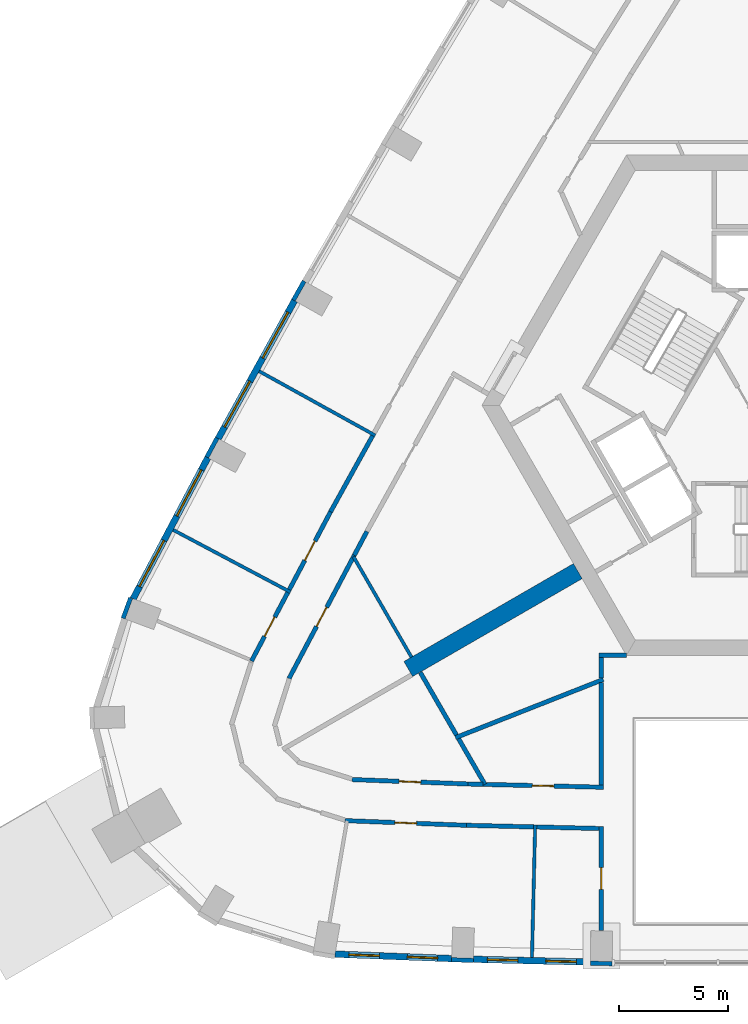
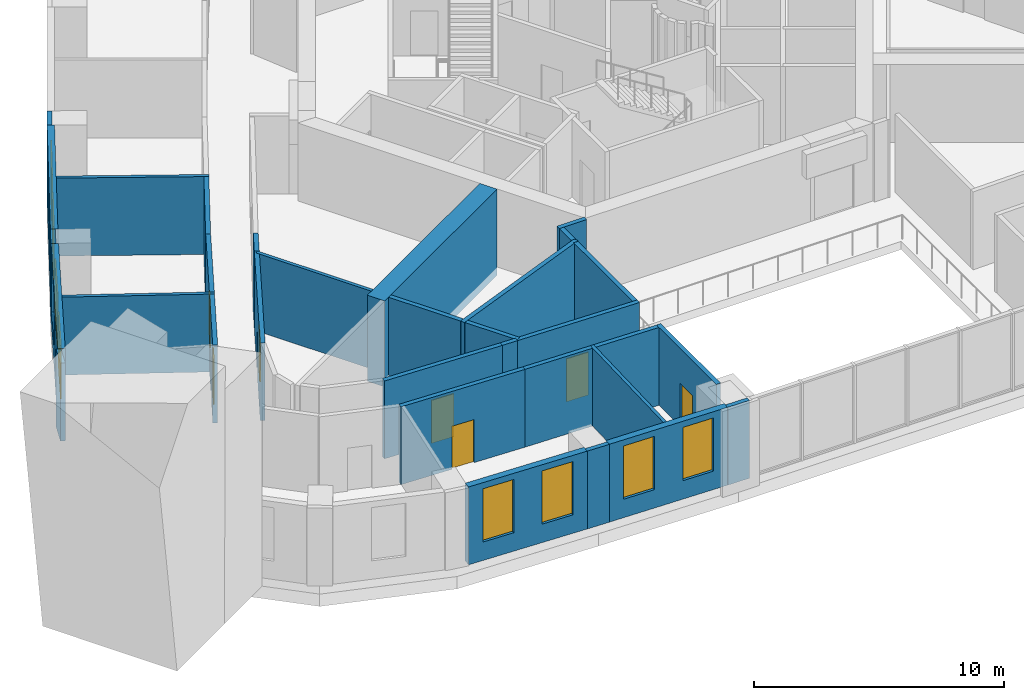
# One storey, part 4 of 13: 32 walls, 8 windows, 7 doors, 15 openings.
"""IFC4 building model written with IfcOpenShell, lengths in metres."""

from ifc_helpers import new_model, si_unit, direction, frame, frame_2d, origin, place, context, subcontext, project, spatial, rectangle, extrude, material, layer, layer_set, type_object, element, fill, save


model = new_model("IFC4")

# Units and contexts
model_context = context("Model", 3, precision=1e-05, world=origin(), true_north=direction((0.0, 1.0)))
body_context = subcontext(model_context, "Body", "Model", "MODEL_VIEW")
ifc_project = project(units=[si_unit("LENGTHUNIT", "METRE"), si_unit("AREAUNIT", "SQUARE_METRE"), si_unit("VOLUMEUNIT", "CUBIC_METRE"), si_unit("PLANEANGLEUNIT", "RADIAN"), si_unit("MASSUNIT", "GRAM", prefix="KILO")], contexts=[model_context])

# Site, building, storey
site_placement = place(None, origin())
site = spatial("IfcSite", under=ifc_project, at=site_placement, CompositionType="ELEMENT")
building_placement = place(site_placement, origin())
building = spatial("IfcBuilding", under=site, at=building_placement, Name="Entoto Arch Interchange Tower", CompositionType="ELEMENT")
storey_placement = place(building_placement, frame((0.0, 0.0, 215.0)))
storey = spatial("IfcBuildingStorey", under=building, at=storey_placement, Name="L48", CompositionType="ELEMENT", Elevation=215.0)

# Walls
ifc_material_1 = material(Name="Concrete C50/60", Category="concrete")
ifc_layer_1 = layer(ifc_material_1, 0.800048828125)
ifc_layer_set_1 = layer_set([ifc_layer_1], Name="Concrete C50/60")
wall_type_1 = type_object("IfcWallType", Name="Buttress wall 800 C50/60", PredefinedType="SHEAR", material=ifc_layer_set_1)
wall_1_placement = place(storey_placement, frame((-8.876953125, -5.125, -0.39990234375), z_axis=(0.0, 0.0, 1.0), x_axis=(-0.866017533419, -0.500013631625, 0.0)))
element("IfcWall", 1, at=wall_1_placement, inside=storey, type_object=wall_type_1, Name="Buttress wall SW L48", PredefinedType="SHEAR", context=body_context, shape_type="SweptSolid", body=[
    extrude(rectangle(XDim=8.999755859375, YDim=0.800048828125, at=frame_2d((4.5, 0.0))), origin(), (0.0, 0.0, 1.0), 4.199951171875),
])
ifc_material_2 = material(Name="Gypsum board partition on steel studs", Category="steel")
ifc_layer_2 = layer(ifc_material_2, 0.14990234375)
ifc_layer_set_2 = layer_set([ifc_layer_2], Name="Gypsum board partition on steel studs")
wall_type_2 = type_object("IfcWallType", Name="PARTITION 150", PredefinedType="PARTITIONING", material=ifc_layer_set_2)
wall_2_placement = place(storey_placement, frame((-16.52490234375, -9.0791015625, 0.0), z_axis=(0.0, 0.0, 1.0), x_axis=(-0.499943228252, 0.866058178487, 0.0)))
element("IfcWall", 2, at=wall_2_placement, inside=storey, type_object=wall_type_2, Name="wall:L48:p113", PredefinedType="PARTITIONING", context=body_context, shape_type="SweptSolid", body=[
    extrude(rectangle(XDim=5.32861328125, YDim=0.14990234375, at=frame_2d((2.664306640625, 0.0))), origin(), (0.0, 0.0, 1.0), 3.800048828125),
])
wall_3_placement = place(storey_placement, frame((-18.18896484375, 1.111083984375, 0.0), z_axis=(0.0, 0.0, 1.0), x_axis=(-0.874928335558, 0.484252421405, 0.0)))
element("IfcWall", 3, at=wall_3_placement, inside=storey, type_object=wall_type_2, Name="wall:L48:p126", PredefinedType="PARTITIONING", context=body_context, shape_type="SweptSolid", body=[
    extrude(rectangle(XDim=6.099853515625, YDim=0.14990234375, at=frame_2d((3.0498046875, 0.0))), origin(), (0.0, 0.0, 1.0), 3.800048828125),
])
wall_4_placement = place(storey_placement, frame((-22.0869140625, -6.089111328125, 0.0), z_axis=(0.0, 0.0, 1.0), x_axis=(-0.883611647524, 0.468220521079, 0.0)))
element("IfcWall", 4, at=wall_4_placement, inside=storey, type_object=wall_type_2, Name="wall:L48:p127", PredefinedType="PARTITIONING", context=body_context, shape_type="SweptSolid", body=[
    extrude(rectangle(XDim=6.10009765625, YDim=0.14990234375, at=frame_2d((3.050048828125, 0.0))), origin(), (0.0, 0.0, 1.0), 3.800048828125),
])
wall_5_placement = place(storey_placement, frame((-10.837890625, -16.785888671875, 0.0), z_axis=(0.0, 0.0, 1.0), x_axis=(-0.024134212614, -0.999708727471, 0.0)))
element("IfcWall", 5, at=wall_5_placement, inside=storey, type_object=wall_type_2, Name="wall:L48:p130", PredefinedType="PARTITIONING", context=body_context, shape_type="SweptSolid", body=[
    extrude(rectangle(XDim=6.099853515625, YDim=0.14990234375, at=frame_2d((3.0498046875, 0.0))), origin(), (0.0, 0.0, 1.0), 3.800048828125),
])
ifc_layer_3 = layer(ifc_material_2, 0.199951171875)
ifc_layer_set_3 = layer_set([ifc_layer_3], Name="Gypsum board partition on steel studs")
wall_type_3 = type_object("IfcWallType", Name="PARTITION 200", PredefinedType="PARTITIONING", material=ifc_layer_set_3)
wall_6_placement = place(storey_placement, frame((-18.573974609375, -3.302978515625, 0.0), z_axis=(0.0, 0.0, 1.0), x_axis=(-0.468458328651, -0.883485593724, 0.0)))
element("IfcWall", 6, at=wall_6_placement, inside=storey, type_object=wall_type_3, Name="wall:L48:p026", PredefinedType="PARTITIONING", context=body_context, shape_type="SweptSolid", body=[
    extrude(rectangle(XDim=1.23828125, YDim=0.199951171875, at=frame_2d((0.619140625, 0.0))), origin(), (0.0, 0.0, 1.0), 3.800048828125),
])

# Wall, opening, door
wall_7_placement = place(storey_placement, frame((-13.24609375, -14.927001953125, 0.0), z_axis=(0.0, 0.0, 1.0), x_axis=(0.999708107757, -0.024159869312, 0.0)))
wall_7 = element("IfcWall", 7, at=wall_7_placement, inside=storey, type_object=wall_type_3, Name="wall:L48:p027", PredefinedType="PARTITIONING", context=body_context, shape_type="SweptSolid", body=[
    extrude(rectangle(XDim=5.5478515625, YDim=0.199951171875, at=frame_2d((2.77392578125, 0.0))), origin(), (0.0, 0.0, 1.0), 3.800048828125),
])
opening_1_placement = place(wall_7_placement, frame((2.27392578125, 0.0, 0.0)))
opening_1 = element("IfcOpeningElement", 8, at=opening_1_placement, cuts=wall_7, Name="Opening L48-D22", PredefinedType="OPENING", context=body_context, shape_type="SweptSolid", body=[
    extrude(rectangle(XDim=1.0, YDim=2.10009765625, at=frame_2d((0.5, 1.050048828125))), frame((0.0, 0.10986328125, 0.0), z_axis=(0.0, -1.0, 0.0), x_axis=(1.0, 0.0, 0.0)), (0.0, 0.0, 1.0), 0.219970703125),
])
ifc_material_3 = material(Name="Timber door leaf in Steel S235 frame", Category="steel")
door_type = type_object("IfcDoorType", Name="DOOR DS-10 1000x2100", OperationType="SINGLE_SWING_LEFT", PredefinedType="DOOR", material=ifc_material_3)
door_1_placement = place(opening_1_placement, origin())
door_1 = element("IfcDoor", 9, at=door_1_placement, inside=storey, type_object=door_type, Name="door:L48:22", OperationType="SINGLE_SWING_LEFT", OverallHeight=2.10009765625, OverallWidth=1.0, PredefinedType="DOOR", context=body_context, shape_type="SweptSolid", body=[
    extrude(rectangle(XDim=1.0, YDim=2.10009765625, at=frame_2d((0.5, 1.050048828125))), frame((0.0, 0.02490234375, 0.0), z_axis=(0.0, -1.0, 0.0), x_axis=(1.0, 0.0, 0.0)), (0.0, 0.0, 1.0), 0.050048828125),
])
fill(opening_1, door_1)

wall_8_placement = place(storey_placement, frame((-19.154052734375, -4.39697265625, 0.0), z_axis=(0.0, 0.0, 1.0), x_axis=(-0.468118749105, -0.883665568378, 0.0)))
wall_8 = element("IfcWall", 10, at=wall_8_placement, inside=storey, type_object=wall_type_3, Name="wall:L48:p028", PredefinedType="PARTITIONING", context=body_context, shape_type="SweptSolid", body=[
    extrude(rectangle(XDim=6.40869140625, YDim=0.199951171875, at=frame_2d((3.204345703125, 0.0))), origin(), (0.0, 0.0, 1.0), 3.800048828125),
])
opening_2_placement = place(wall_8_placement, frame((2.7041015625, 0.0, 0.0)))
opening_2 = element("IfcOpeningElement", 11, at=opening_2_placement, cuts=wall_8, Name="Opening L48-D23", PredefinedType="OPENING", context=body_context, shape_type="SweptSolid", body=[
    extrude(rectangle(XDim=1.0, YDim=2.10009765625, at=frame_2d((0.5, 1.050048828125))), frame((0.0, 0.10986328125, 0.0), z_axis=(0.0, -1.0, 0.0), x_axis=(1.0, 0.0, 0.0)), (0.0, 0.0, 1.0), 0.219970703125),
])
door_2_placement = place(opening_2_placement, origin())
door_2 = element("IfcDoor", 12, at=door_2_placement, inside=storey, type_object=door_type, Name="door:L48:23", OperationType="SINGLE_SWING_LEFT", OverallHeight=2.10009765625, OverallWidth=1.0, PredefinedType="DOOR", context=body_context, shape_type="SweptSolid", body=[
    extrude(rectangle(XDim=1.0, YDim=2.10009765625, at=frame_2d((0.5, 1.050048828125))), frame((0.0, 0.02490234375, 0.0), z_axis=(0.0, -1.0, 0.0), x_axis=(1.0, 0.0, 0.0)), (0.0, 0.0, 1.0), 0.050048828125),
])
fill(opening_2, door_2)

wall_9_placement = place(storey_placement, frame((-19.260986328125, -14.7060546875, 0.0), z_axis=(0.0, 0.0, 1.0), x_axis=(0.999262930749, -0.038387435847, 0.0)))
wall_9 = element("IfcWall", 13, at=wall_9_placement, inside=storey, type_object=wall_type_3, Name="wall:L48:p033", PredefinedType="PARTITIONING", context=body_context, shape_type="SweptSolid", body=[
    extrude(rectangle(XDim=5.3359375, YDim=0.199951171875, at=frame_2d((2.66796875, 0.0))), origin(), (0.0, 0.0, 1.0), 3.800048828125),
])
opening_3_placement = place(wall_9_placement, frame((2.16796875, 0.0, 0.0)))
opening_3 = element("IfcOpeningElement", 14, at=opening_3_placement, cuts=wall_9, Name="Opening L48-D24", PredefinedType="OPENING", context=body_context, shape_type="SweptSolid", body=[
    extrude(rectangle(XDim=1.0, YDim=2.10009765625, at=frame_2d((0.5, 1.050048828125))), frame((0.0, 0.10986328125, 0.0), z_axis=(0.0, -1.0, 0.0), x_axis=(1.0, 0.0, 0.0)), (0.0, 0.0, 1.0), 0.219970703125),
])
door_3_placement = place(opening_3_placement, origin())
door_3 = element("IfcDoor", 15, at=door_3_placement, inside=storey, type_object=door_type, Name="door:L48:24", OperationType="SINGLE_SWING_LEFT", OverallHeight=2.10009765625, OverallWidth=1.0, PredefinedType="DOOR", context=body_context, shape_type="SweptSolid", body=[
    extrude(rectangle(XDim=1.0, YDim=2.10009765625, at=frame_2d((0.5, 1.050048828125))), frame((0.0, 0.02490234375, 0.0), z_axis=(0.0, -1.0, 0.0), x_axis=(1.0, 0.0, 0.0)), (0.0, 0.0, 1.0), 0.050048828125),
])
fill(opening_3, door_3)

# Wall
wall_10_placement = place(storey_placement, frame((-13.928955078125, -14.910888671875, 0.0), z_axis=(0.0, 0.0, 1.0), x_axis=(0.999721713829, -0.023590144123, 0.0)))
element("IfcWall", 16, at=wall_10_placement, inside=storey, type_object=wall_type_3, Name="wall:L48:p034", PredefinedType="PARTITIONING", context=body_context, shape_type="SweptSolid", body=[
    extrude(rectangle(XDim=0.68310546875, YDim=0.199951171875, at=frame_2d((0.341552734375, 0.0))), origin(), (0.0, 0.0, 1.0), 3.800048828125),
])

# Wall, opening, door
wall_11_placement = place(storey_placement, frame((-22.139892578125, -5.97607421875, 0.0), z_axis=(0.0, 0.0, 1.0), x_axis=(0.467979143965, 0.883739509592, 0.0)))
wall_11 = element("IfcWall", 17, at=wall_11_placement, inside=storey, type_object=wall_type_3, Name="wall:L48:p057", PredefinedType="PARTITIONING", context=body_context, shape_type="SweptSolid", body=[
    extrude(rectangle(XDim=4.048828125, YDim=0.199951171875, at=frame_2d((2.0244140625, 0.0))), origin(), (0.0, 0.0, 1.0), 3.800048828125),
])
opening_4_placement = place(wall_11_placement, frame((1.52392578125, 0.0, 0.0)))
opening_4 = element("IfcOpeningElement", 18, at=opening_4_placement, cuts=wall_11, Name="Opening L48-D11", PredefinedType="OPENING", context=body_context, shape_type="SweptSolid", body=[
    extrude(rectangle(XDim=1.0, YDim=2.10009765625, at=frame_2d((0.5, 1.050048828125))), frame((0.0, 0.10986328125, 0.0), z_axis=(0.0, -1.0, 0.0), x_axis=(1.0, 0.0, 0.0)), (0.0, 0.0, 1.0), 0.219970703125),
])
door_4_placement = place(opening_4_placement, origin())
door_4 = element("IfcDoor", 19, at=door_4_placement, inside=storey, type_object=door_type, Name="door:L48:11", OperationType="SINGLE_SWING_LEFT", OverallHeight=2.10009765625, OverallWidth=1.0, PredefinedType="DOOR", context=body_context, shape_type="SweptSolid", body=[
    extrude(rectangle(XDim=1.0, YDim=2.10009765625, at=frame_2d((0.5, 1.050048828125))), frame((0.0, 0.02490234375, 0.0), z_axis=(0.0, -1.0, 0.0), x_axis=(1.0, 0.0, 0.0)), (0.0, 0.0, 1.0), 0.050048828125),
])
fill(opening_4, door_4)

# Wall
wall_12_placement = place(storey_placement, frame((-20.2451171875, -2.39794921875, 0.0), z_axis=(0.0, 0.0, 1.0), x_axis=(0.484328424129, 0.874886265511, 0.0)))
element("IfcWall", 20, at=wall_12_placement, inside=storey, type_object=wall_type_3, Name="wall:L48:p058", PredefinedType="PARTITIONING", context=body_context, shape_type="SweptSolid", body=[
    extrude(rectangle(XDim=3.9912109375, YDim=0.199951171875, at=frame_2d((1.99560546875, 0.0))), origin(), (0.0, 0.0, 1.0), 3.800048828125),
])

# Wall, opening, door
wall_13_placement = place(storey_placement, frame((-23.8779296875, -9.256103515625, 0.0), z_axis=(0.0, 0.0, 1.0), x_axis=(0.46795384568, 0.883752905689, 0.0)))
wall_13 = element("IfcWall", 21, at=wall_13_placement, inside=storey, type_object=wall_type_3, Name="wall:L48:p059", PredefinedType="PARTITIONING", context=body_context, shape_type="SweptSolid", body=[
    extrude(rectangle(XDim=3.562255859375, YDim=0.199951171875, at=frame_2d((1.78125, 0.0))), origin(), (0.0, 0.0, 1.0), 3.800048828125),
])
opening_5_placement = place(wall_13_placement, frame((1.281005859375, 0.0, 0.0)))
opening_5 = element("IfcOpeningElement", 22, at=opening_5_placement, cuts=wall_13, Name="Opening L48-D12", PredefinedType="OPENING", context=body_context, shape_type="SweptSolid", body=[
    extrude(rectangle(XDim=1.0, YDim=2.10009765625, at=frame_2d((0.5, 1.050048828125))), frame((0.0, 0.10986328125, 0.0), z_axis=(0.0, -1.0, 0.0), x_axis=(1.0, 0.0, 0.0)), (0.0, 0.0, 1.0), 0.219970703125),
])
door_5_placement = place(opening_5_placement, origin())
door_5 = element("IfcDoor", 23, at=door_5_placement, inside=storey, type_object=door_type, Name="door:L48:12", OperationType="SINGLE_SWING_LEFT", OverallHeight=2.10009765625, OverallWidth=1.0, PredefinedType="DOOR", context=body_context, shape_type="SweptSolid", body=[
    extrude(rectangle(XDim=1.0, YDim=2.10009765625, at=frame_2d((0.5, 1.050048828125))), frame((0.0, 0.02490234375, 0.0), z_axis=(0.0, -1.0, 0.0), x_axis=(1.0, 0.0, 0.0)), (0.0, 0.0, 1.0), 0.050048828125),
])
fill(opening_5, door_5)

# Wall
wall_14_placement = place(storey_placement, frame((-10.9150390625, -16.884033203125, 0.0), z_axis=(0.0, 0.0, 1.0), x_axis=(-0.999710384303, 0.024065483947, 0.0)))
element("IfcWall", 24, at=wall_14_placement, inside=storey, type_object=wall_type_3, Name="wall:L48:p064", PredefinedType="PARTITIONING", context=body_context, shape_type="SweptSolid", body=[
    extrude(rectangle(XDim=3.073974609375, YDim=0.199951171875, at=frame_2d((1.537109375, 0.0))), origin(), (0.0, 0.0, 1.0), 3.800048828125),
])

# Wall, opening, door
wall_15_placement = place(storey_placement, frame((-13.988037109375, -16.81005859375, 0.0), z_axis=(0.0, 0.0, 1.0), x_axis=(-0.999263168163, 0.038381255227, 0.0)))
wall_15 = element("IfcWall", 25, at=wall_15_placement, inside=storey, type_object=wall_type_3, Name="wall:L48:p065", PredefinedType="PARTITIONING", context=body_context, shape_type="SweptSolid", body=[
    extrude(rectangle(XDim=5.60400390625, YDim=0.199951171875, at=frame_2d((2.802001953125, 0.0))), origin(), (0.0, 0.0, 1.0), 3.800048828125),
])
opening_6_placement = place(wall_15_placement, frame((2.302001953125, 0.0, 0.0)))
opening_6 = element("IfcOpeningElement", 26, at=opening_6_placement, cuts=wall_15, Name="Opening L48-D14", PredefinedType="OPENING", context=body_context, shape_type="SweptSolid", body=[
    extrude(rectangle(XDim=1.0, YDim=2.10009765625, at=frame_2d((0.5, 1.050048828125))), frame((0.0, 0.10986328125, 0.0), z_axis=(0.0, -1.0, 0.0), x_axis=(1.0, 0.0, 0.0)), (0.0, 0.0, 1.0), 0.219970703125),
])
door_6_placement = place(opening_6_placement, origin())
door_6 = element("IfcDoor", 27, at=door_6_placement, inside=storey, type_object=door_type, Name="door:L48:14", OperationType="SINGLE_SWING_LEFT", OverallHeight=2.10009765625, OverallWidth=1.0, PredefinedType="DOOR", context=body_context, shape_type="SweptSolid", body=[
    extrude(rectangle(XDim=1.0, YDim=2.10009765625, at=frame_2d((0.5, 1.050048828125))), frame((0.0, 0.02490234375, 0.0), z_axis=(0.0, -1.0, 0.0), x_axis=(1.0, 0.0, 0.0)), (0.0, 0.0, 1.0), 0.050048828125),
])
fill(opening_6, door_6)

# Walls
wall_16_placement = place(storey_placement, frame((-7.89990234375, -16.95703125, 0.0), z_axis=(0.0, 0.0, 1.0), x_axis=(-0.999709338637, 0.024108883071, 0.0)))
element("IfcWall", 28, at=wall_16_placement, inside=storey, type_object=wall_type_3, Name="wall:L48:p066", PredefinedType="PARTITIONING", context=body_context, shape_type="SweptSolid", body=[
    extrude(rectangle(XDim=2.86572265625, YDim=0.199951171875, at=frame_2d((1.432861328125, 0.0))), origin(), (0.0, 0.0, 1.0), 3.800048828125),
])
wall_17_placement = place(storey_placement, frame((-7.800048828125, -10.041015625, 0.0), z_axis=(0.0, 0.0, 1.0), x_axis=(0.0, 1.0, 0.0)))
element("IfcWall", 29, at=wall_17_placement, inside=storey, type_object=wall_type_3, Name="wall:L48:p102", PredefinedType="PARTITIONING", context=body_context, shape_type="SweptSolid", body=[
    extrude(rectangle(XDim=0.94189453125, YDim=0.199951171875, at=frame_2d((0.470947265625, 0.0))), origin(), (0.0, 0.0, 1.0), 3.800048828125),
])
wall_18_placement = place(storey_placement, frame((-7.89990234375, -8.9990234375, 0.0), z_axis=(0.0, 0.0, 1.0), x_axis=(1.0, 0.0, 0.0)))
element("IfcWall", 30, at=wall_18_placement, inside=storey, type_object=wall_type_3, Name="wall:L48:p103", PredefinedType="PARTITIONING", context=body_context, shape_type="SweptSolid", body=[
    extrude(rectangle(XDim=1.2587890625, YDim=0.199951171875, at=frame_2d((0.62939453125, 0.0))), origin(), (0.0, 0.0, 1.0), 3.800048828125),
])
wall_19_placement = place(storey_placement, frame((-7.800048828125, -14.958984375, 0.0), z_axis=(0.0, 0.0, 1.0), x_axis=(0.0, 1.0, 0.0)))
element("IfcWall", 31, at=wall_19_placement, inside=storey, type_object=wall_type_3, Name="wall:L48:p104", PredefinedType="PARTITIONING", context=body_context, shape_type="SweptSolid", body=[
    extrude(rectangle(XDim=4.718017578125, YDim=0.199951171875, at=frame_2d((2.35888671875, 0.0))), origin(), (0.0, 0.0, 1.0), 3.800048828125),
])

# Wall, opening, door
wall_20_placement = place(storey_placement, frame((-7.800048828125, -21.64111328125, 0.0), z_axis=(0.0, 0.0, 1.0), x_axis=(0.0, 1.0, 0.0)))
wall_20 = element("IfcWall", 32, at=wall_20_placement, inside=storey, type_object=wall_type_3, Name="wall:L48:p106", PredefinedType="PARTITIONING", context=body_context, shape_type="SweptSolid", body=[
    extrude(rectangle(XDim=4.7822265625, YDim=0.199951171875, at=frame_2d((2.39111328125, 0.0))), origin(), (0.0, 0.0, 1.0), 3.800048828125),
])
opening_7_placement = place(wall_20_placement, frame((1.89111328125, 0.0, 0.0)))
opening_7 = element("IfcOpeningElement", 33, at=opening_7_placement, cuts=wall_20, Name="Opening L48-D15", PredefinedType="OPENING", context=body_context, shape_type="SweptSolid", body=[
    extrude(rectangle(XDim=1.0, YDim=2.10009765625, at=frame_2d((0.5, 1.050048828125))), frame((0.0, 0.10986328125, 0.0), z_axis=(0.0, -1.0, 0.0), x_axis=(1.0, 0.0, 0.0)), (0.0, 0.0, 1.0), 0.219970703125),
])
door_7_placement = place(opening_7_placement, origin())
door_7 = element("IfcDoor", 34, at=door_7_placement, inside=storey, type_object=door_type, Name="door:L48:15", OperationType="SINGLE_SWING_LEFT", OverallHeight=2.10009765625, OverallWidth=1.0, PredefinedType="DOOR", context=body_context, shape_type="SweptSolid", body=[
    extrude(rectangle(XDim=1.0, YDim=2.10009765625, at=frame_2d((0.5, 1.050048828125))), frame((0.0, 0.02490234375, 0.0), z_axis=(0.0, -1.0, 0.0), x_axis=(1.0, 0.0, 0.0)), (0.0, 0.0, 1.0), 0.050048828125),
])
fill(opening_7, door_7)

# Walls
wall_21_placement = place(storey_placement, frame((-7.70703125, -10.10498046875, 0.0), z_axis=(0.0, 0.0, 1.0), x_axis=(-0.930316800812, -0.36675693603, 0.0)))
element("IfcWall", 35, at=wall_21_placement, inside=storey, type_object=wall_type_3, Name="wall:L48:p112", PredefinedType="PARTITIONING", context=body_context, shape_type="SweptSolid", body=[
    extrude(rectangle(XDim=7.3017578125, YDim=0.199951171875, at=frame_2d((3.65087890625, 0.0))), origin(), (0.0, 0.0, 1.0), 3.800048828125),
])
wall_22_placement = place(storey_placement, frame((-14.45703125, -12.659912109375, 0.0), z_axis=(0.0, 0.0, 1.0), x_axis=(-0.49997268395, 0.866041174139, 0.0)))
element("IfcWall", 36, at=wall_22_placement, inside=storey, type_object=wall_type_3, Name="wall:L48:p114", PredefinedType="PARTITIONING", context=body_context, shape_type="SweptSolid", body=[
    extrude(rectangle(XDim=3.322021484375, YDim=0.199951171875, at=frame_2d((1.6611328125, 0.0))), origin(), (0.0, 0.0, 1.0), 3.800048828125),
])
wall_23_placement = place(storey_placement, frame((-13.14599609375, -14.929931640625, 0.0), z_axis=(0.0, 0.0, 1.0), x_axis=(-0.500086091327, 0.865975693228, 0.0)))
element("IfcWall", 37, at=wall_23_placement, inside=storey, type_object=wall_type_3, Name="wall:L48:p115", PredefinedType="PARTITIONING", context=body_context, shape_type="SweptSolid", body=[
    extrude(rectangle(XDim=2.42138671875, YDim=0.199951171875, at=frame_2d((1.210693359375, 0.0))), origin(), (0.0, 0.0, 1.0), 3.800048828125),
])

# Wall, openings, windows
ifc_material_4 = material(Name="Welded tuff (ignimbrite) cladding, warm buff", Category="masonry")
ifc_layer_4 = layer(ifc_material_4, 0.300048828125)
ifc_layer_set_4 = layer_set([ifc_layer_4], Name="Welded tuff (ignimbrite) cladding, warm buff")
wall_type_4 = type_object("IfcWallType", Name="STONE INFILL WALL 300", PredefinedType="STANDARD", material=ifc_layer_set_4)
wall_24_placement = place(storey_placement, frame((-20.0400390625, -22.73193359375, 0.0), z_axis=(0.0, 0.0, 1.0), x_axis=(0.99926218254, -0.038406907512, 0.0)))
wall_24 = element("IfcWall", 38, at=wall_24_placement, inside=storey, type_object=wall_type_4, Name="Facade wall S-01 L48", PredefinedType="STANDARD", context=body_context, shape_type="SweptSolid", body=[
    extrude(rectangle(XDim=5.364990234375, YDim=0.300048828125, at=frame_2d((2.6826171875, 0.0))), origin(), (0.0, 0.0, 1.0), 3.800048828125),
])
opening_8_placement = place(wall_24_placement, frame((0.64111328125, 0.0, 0.89990234375)))
opening_8 = element("IfcOpeningElement", 39, at=opening_8_placement, cuts=wall_24, Name="Opening WO-B", PredefinedType="OPENING", context=body_context, shape_type="SweptSolid", body=[
    extrude(rectangle(XDim=1.39990234375, YDim=2.60009765625, at=frame_2d((0.699951171875, 1.300048828125))), frame((0.0, 0.16015625, 0.0), z_axis=(0.0, -1.0, 0.0), x_axis=(1.0, 0.0, 0.0)), (0.0, 0.0, 1.0), 0.320068359375),
])
opening_9_placement = place(wall_24_placement, frame((3.323974609375, 0.0, 0.89990234375)))
opening_9 = element("IfcOpeningElement", 40, at=opening_9_placement, cuts=wall_24, Name="Opening WO-B", PredefinedType="OPENING", context=body_context, shape_type="SweptSolid", body=[
    extrude(rectangle(XDim=1.39990234375, YDim=2.60009765625, at=frame_2d((0.699951171875, 1.300048828125))), frame((0.0, 0.16015625, 0.0), z_axis=(0.0, -1.0, 0.0), x_axis=(1.0, 0.0, 0.0)), (0.0, 0.0, 1.0), 0.320068359375),
])
ifc_material_5 = material(Name="Clear glass, low-e double glazed", Category="glass")
window_type_1 = type_object("IfcWindowType", Name="WINDOW WO-B 1400x2600", PartitioningType="DOUBLE_PANEL_VERTICAL", PredefinedType="WINDOW", material=ifc_material_5)
window_1_placement = place(opening_8_placement, origin())
window_1 = element("IfcWindow", 41, at=window_1_placement, inside=storey, type_object=window_type_1, Name="Window WO-B S-01 L48", OverallHeight=2.60009765625, OverallWidth=1.39990234375, PartitioningType="SINGLE_PANEL", PredefinedType="WINDOW", context=body_context, shape_type="SweptSolid", body=[
    extrude(rectangle(XDim=1.39990234375, YDim=2.60009765625, at=frame_2d((0.699951171875, 1.300048828125))), frame((0.0, 0.030029296875, 0.0), z_axis=(0.0, -1.0, 0.0), x_axis=(1.0, 0.0, 0.0)), (0.0, 0.0, 1.0), 0.06005859375),
])
fill(opening_8, window_1)
window_2_placement = place(opening_9_placement, origin())
window_2 = element("IfcWindow", 42, at=window_2_placement, inside=storey, type_object=window_type_1, Name="Window WO-B S-01 L48", OverallHeight=2.60009765625, OverallWidth=1.39990234375, PartitioningType="SINGLE_PANEL", PredefinedType="WINDOW", context=body_context, shape_type="SweptSolid", body=[
    extrude(rectangle(XDim=1.39990234375, YDim=2.60009765625, at=frame_2d((0.699951171875, 1.300048828125))), frame((0.0, 0.030029296875, 0.0), z_axis=(0.0, -1.0, 0.0), x_axis=(1.0, 0.0, 0.0)), (0.0, 0.0, 1.0), 0.06005859375),
])
fill(opening_9, window_2)

wall_25_placement = place(storey_placement, frame((-13.680908203125, -22.968994140625, 0.0), z_axis=(0.0, 0.0, 1.0), x_axis=(0.999708030006, -0.024163086341, 0.0)))
wall_25 = element("IfcWall", 43, at=wall_25_placement, inside=storey, type_object=wall_type_4, Name="Facade wall S-02 L48", PredefinedType="STANDARD", context=body_context, shape_type="SweptSolid", body=[
    extrude(rectangle(XDim=5.38525390625, YDim=0.300048828125, at=frame_2d((2.692626953125, 0.0))), origin(), (0.0, 0.0, 1.0), 3.800048828125),
])
opening_10_placement = place(wall_25_placement, frame((0.64599609375, 0.0, 0.89990234375)))
opening_10 = element("IfcOpeningElement", 44, at=opening_10_placement, cuts=wall_25, Name="Opening WO-B", PredefinedType="OPENING", context=body_context, shape_type="SweptSolid", body=[
    extrude(rectangle(XDim=1.39990234375, YDim=2.60009765625, at=frame_2d((0.699951171875, 1.300048828125))), frame((0.0, 0.16015625, 0.0), z_axis=(0.0, -1.0, 0.0), x_axis=(1.0, 0.0, 0.0)), (0.0, 0.0, 1.0), 0.320068359375),
])
opening_11_placement = place(wall_25_placement, frame((3.339111328125, 0.0, 0.89990234375)))
opening_11 = element("IfcOpeningElement", 45, at=opening_11_placement, cuts=wall_25, Name="Opening WO-B", PredefinedType="OPENING", context=body_context, shape_type="SweptSolid", body=[
    extrude(rectangle(XDim=1.39990234375, YDim=2.60009765625, at=frame_2d((0.699951171875, 1.300048828125))), frame((0.0, 0.16015625, 0.0), z_axis=(0.0, -1.0, 0.0), x_axis=(1.0, 0.0, 0.0)), (0.0, 0.0, 1.0), 0.320068359375),
])
window_3_placement = place(opening_10_placement, origin())
window_3 = element("IfcWindow", 46, at=window_3_placement, inside=storey, type_object=window_type_1, Name="Window WO-B S-02 L48", OverallHeight=2.60009765625, OverallWidth=1.39990234375, PartitioningType="SINGLE_PANEL", PredefinedType="WINDOW", context=body_context, shape_type="SweptSolid", body=[
    extrude(rectangle(XDim=1.39990234375, YDim=2.60009765625, at=frame_2d((0.699951171875, 1.300048828125))), frame((0.0, 0.030029296875, 0.0), z_axis=(0.0, -1.0, 0.0), x_axis=(1.0, 0.0, 0.0)), (0.0, 0.0, 1.0), 0.06005859375),
])
fill(opening_10, window_3)
window_4_placement = place(opening_11_placement, origin())
window_4 = element("IfcWindow", 47, at=window_4_placement, inside=storey, type_object=window_type_1, Name="Window WO-B S-02 L48", OverallHeight=2.60009765625, OverallWidth=1.39990234375, PartitioningType="SINGLE_PANEL", PredefinedType="WINDOW", context=body_context, shape_type="SweptSolid", body=[
    extrude(rectangle(XDim=1.39990234375, YDim=2.60009765625, at=frame_2d((0.699951171875, 1.300048828125))), frame((0.0, 0.030029296875, 0.0), z_axis=(0.0, -1.0, 0.0), x_axis=(1.0, 0.0, 0.0)), (0.0, 0.0, 1.0), 0.06005859375),
])
fill(opening_11, window_4)

wall_26_placement = place(storey_placement, frame((-21.902099609375, 7.30908203125, 0.0), z_axis=(0.0, 0.0, 1.0), x_axis=(-0.484163461668, -0.87497756679, 0.0)))
wall_26 = element("IfcWall", 48, at=wall_26_placement, inside=storey, type_object=wall_type_4, Name="Facade wall NW-04 L48", PredefinedType="STANDARD", context=body_context, shape_type="SweptSolid", body=[
    extrude(rectangle(XDim=7.2470703125, YDim=0.300048828125, at=frame_2d((3.62353515625, 0.0))), origin(), (0.0, 0.0, 1.0), 3.800048828125),
])
opening_12_placement = place(wall_26_placement, frame((0.612060546875, 0.0, 0.89990234375)))
opening_12 = element("IfcOpeningElement", 49, at=opening_12_placement, cuts=wall_26, Name="Opening WO-A", PredefinedType="OPENING", context=body_context, shape_type="SweptSolid", body=[
    extrude(rectangle(XDim=2.39990234375, YDim=2.60009765625, at=frame_2d((1.199951171875, 1.300048828125))), frame((0.0, 0.16015625, 0.0), z_axis=(0.0, -1.0, 0.0), x_axis=(1.0, 0.0, 0.0)), (0.0, 0.0, 1.0), 0.320068359375),
])
opening_13_placement = place(wall_26_placement, frame((4.235107421875, 0.0, 0.89990234375)))
opening_13 = element("IfcOpeningElement", 50, at=opening_13_placement, cuts=wall_26, Name="Opening WO-A", PredefinedType="OPENING", context=body_context, shape_type="SweptSolid", body=[
    extrude(rectangle(XDim=2.39990234375, YDim=2.60009765625, at=frame_2d((1.199951171875, 1.300048828125))), frame((0.0, 0.16015625, 0.0), z_axis=(0.0, -1.0, 0.0), x_axis=(1.0, 0.0, 0.0)), (0.0, 0.0, 1.0), 0.320068359375),
])
window_type_2 = type_object("IfcWindowType", Name="WINDOW WO-A 2400x2600", PartitioningType="DOUBLE_PANEL_VERTICAL", PredefinedType="WINDOW", material=ifc_material_5)
window_5_placement = place(opening_12_placement, origin())
window_5 = element("IfcWindow", 51, at=window_5_placement, inside=storey, type_object=window_type_2, Name="Window WO-A NW-04 L48", OverallHeight=2.60009765625, OverallWidth=2.39990234375, PartitioningType="SINGLE_PANEL", PredefinedType="WINDOW", context=body_context, shape_type="SweptSolid", body=[
    extrude(rectangle(XDim=2.39990234375, YDim=2.60009765625, at=frame_2d((1.199951171875, 1.300048828125))), frame((0.0, 0.030029296875, 0.0), z_axis=(0.0, -1.0, 0.0), x_axis=(1.0, 0.0, 0.0)), (0.0, 0.0, 1.0), 0.06005859375),
])
fill(opening_12, window_5)
window_6_placement = place(opening_13_placement, origin())
window_6 = element("IfcWindow", 52, at=window_6_placement, inside=storey, type_object=window_type_2, Name="Window WO-A NW-04 L48", OverallHeight=2.60009765625, OverallWidth=2.39990234375, PartitioningType="SINGLE_PANEL", PredefinedType="WINDOW", context=body_context, shape_type="SweptSolid", body=[
    extrude(rectangle(XDim=2.39990234375, YDim=2.60009765625, at=frame_2d((1.199951171875, 1.300048828125))), frame((0.0, 0.030029296875, 0.0), z_axis=(0.0, -1.0, 0.0), x_axis=(1.0, 0.0, 0.0)), (0.0, 0.0, 1.0), 0.06005859375),
])
fill(opening_13, window_6)

wall_27_placement = place(storey_placement, frame((-25.886962890625, 0.090087890625, 0.0), z_axis=(0.0, 0.0, 1.0), x_axis=(-0.468020680141, -0.8837175131, 0.0)))
wall_27 = element("IfcWall", 53, at=wall_27_placement, inside=storey, type_object=wall_type_4, Name="Facade wall NW-05 L48", PredefinedType="STANDARD", context=body_context, shape_type="SweptSolid", body=[
    extrude(rectangle(XDim=7.339599609375, YDim=0.300048828125, at=frame_2d((3.669921875, 0.0))), origin(), (0.0, 0.0, 1.0), 3.800048828125),
])
opening_14_placement = place(wall_27_placement, frame((0.635009765625, 0.0, 0.89990234375)))
opening_14 = element("IfcOpeningElement", 54, at=opening_14_placement, cuts=wall_27, Name="Opening WO-A", PredefinedType="OPENING", context=body_context, shape_type="SweptSolid", body=[
    extrude(rectangle(XDim=2.39990234375, YDim=2.60009765625, at=frame_2d((1.199951171875, 1.300048828125))), frame((0.0, 0.16015625, 0.0), z_axis=(0.0, -1.0, 0.0), x_axis=(1.0, 0.0, 0.0)), (0.0, 0.0, 1.0), 0.320068359375),
])
opening_15_placement = place(wall_27_placement, frame((4.304931640625, 0.0, 0.89990234375)))
opening_15 = element("IfcOpeningElement", 55, at=opening_15_placement, cuts=wall_27, Name="Opening WO-A", PredefinedType="OPENING", context=body_context, shape_type="SweptSolid", body=[
    extrude(rectangle(XDim=2.39990234375, YDim=2.60009765625, at=frame_2d((1.199951171875, 1.300048828125))), frame((0.0, 0.16015625, 0.0), z_axis=(0.0, -1.0, 0.0), x_axis=(1.0, 0.0, 0.0)), (0.0, 0.0, 1.0), 0.320068359375),
])
window_7_placement = place(opening_14_placement, origin())
window_7 = element("IfcWindow", 56, at=window_7_placement, inside=storey, type_object=window_type_2, Name="Window WO-A NW-05 L48", OverallHeight=2.60009765625, OverallWidth=2.39990234375, PartitioningType="SINGLE_PANEL", PredefinedType="WINDOW", context=body_context, shape_type="SweptSolid", body=[
    extrude(rectangle(XDim=2.39990234375, YDim=2.60009765625, at=frame_2d((1.199951171875, 1.300048828125))), frame((0.0, 0.030029296875, 0.0), z_axis=(0.0, -1.0, 0.0), x_axis=(1.0, 0.0, 0.0)), (0.0, 0.0, 1.0), 0.06005859375),
])
fill(opening_14, window_7)
window_8_placement = place(opening_15_placement, origin())
window_8 = element("IfcWindow", 57, at=window_8_placement, inside=storey, type_object=window_type_2, Name="Window WO-A NW-05 L48", OverallHeight=2.60009765625, OverallWidth=2.39990234375, PartitioningType="SINGLE_PANEL", PredefinedType="WINDOW", context=body_context, shape_type="SweptSolid", body=[
    extrude(rectangle(XDim=2.39990234375, YDim=2.60009765625, at=frame_2d((1.199951171875, 1.300048828125))), frame((0.0, 0.030029296875, 0.0), z_axis=(0.0, -1.0, 0.0), x_axis=(1.0, 0.0, 0.0)), (0.0, 0.0, 1.0), 0.06005859375),
])
fill(opening_15, window_8)

# Walls
ifc_layer_5 = layer(ifc_material_4, 0.199951171875)
ifc_layer_set_5 = layer_set([ifc_layer_5], Name="Welded tuff (ignimbrite) cladding, warm buff")
wall_type_5 = type_object("IfcWallType", Name="STONE PIER CLADDING 200", PredefinedType="STANDARD", material=ifc_layer_set_5)
for number, where, z_axis, x_axis, name in (
    (58, (-21.4580078125, 8.205078125, 0.0), (0.0, 0.0, 1.0), (-0.491743606947, -0.87074004446, 0.0), "Stone pier NW04 L48"),
    (59, (-25.4599609375, 0.9951171875, 0.0), (0.0, 0.0, 1.0), (-0.473852444207, -0.880604259085, 0.0), "Stone pier NW05 L48"),
):
    element("IfcWall", number, at=place(storey_placement, frame(where, z_axis=z_axis, x_axis=x_axis)), inside=storey, type_object=wall_type_5, Name=name, PredefinedType="STANDARD", context=body_context, shape_type="SweptSolid", body=[
        extrude(rectangle(XDim=1.00048828125, YDim=0.199951171875, at=frame_2d((0.500244140625, 0.0))), origin(), (0.0, 0.0, 1.0), 3.800048828125),
    ])
wall_28_placement = place(storey_placement, frame((-29.43310546875, -6.35400390625, 0.0), z_axis=(0.0, 0.0, 1.0), x_axis=(-0.346892928577, -0.937904737222, 0.0)))
element("IfcWall", 60, at=wall_28_placement, inside=storey, type_object=wall_type_5, Name="Stone pier NW06 L48", PredefinedType="STANDARD", context=body_context, shape_type="SweptSolid", body=[
    extrude(rectangle(XDim=1.0, YDim=0.199951171875, at=frame_2d((0.5, 0.0))), origin(), (0.0, 0.0, 1.0), 3.800048828125),
])
wall_29_placement = place(storey_placement, frame((-14.680908203125, -22.989990234375, 0.0), z_axis=(0.0, 0.0, 1.0), x_axis=(0.999423561854, -0.033949138587, 0.0)))
element("IfcWall", 61, at=wall_29_placement, inside=storey, type_object=wall_type_5, Name="Stone pier S02 L48", PredefinedType="STANDARD", context=body_context, shape_type="SweptSolid", body=[
    extrude(rectangle(XDim=0.99951171875, YDim=0.199951171875, at=frame_2d((0.499755859375, 0.0))), origin(), (0.0, 0.0, 1.0), 3.800048828125),
])
wall_30_placement = place(storey_placement, frame((-8.299072265625, -23.154052734375, 0.0), z_axis=(0.0, 0.0, 1.0), x_axis=(0.999903186316, -0.013914668364, 0.0)))
element("IfcWall", 62, at=wall_30_placement, inside=storey, type_object=wall_type_5, Name="Stone pier S03 L48", PredefinedType="STANDARD", context=body_context, shape_type="SweptSolid", body=[
    extrude(rectangle(XDim=1.0, YDim=0.199951171875, at=frame_2d((0.5, 0.0))), origin(), (0.0, 0.0, 1.0), 3.800048828125),
])

save(model, "model.ifc")
